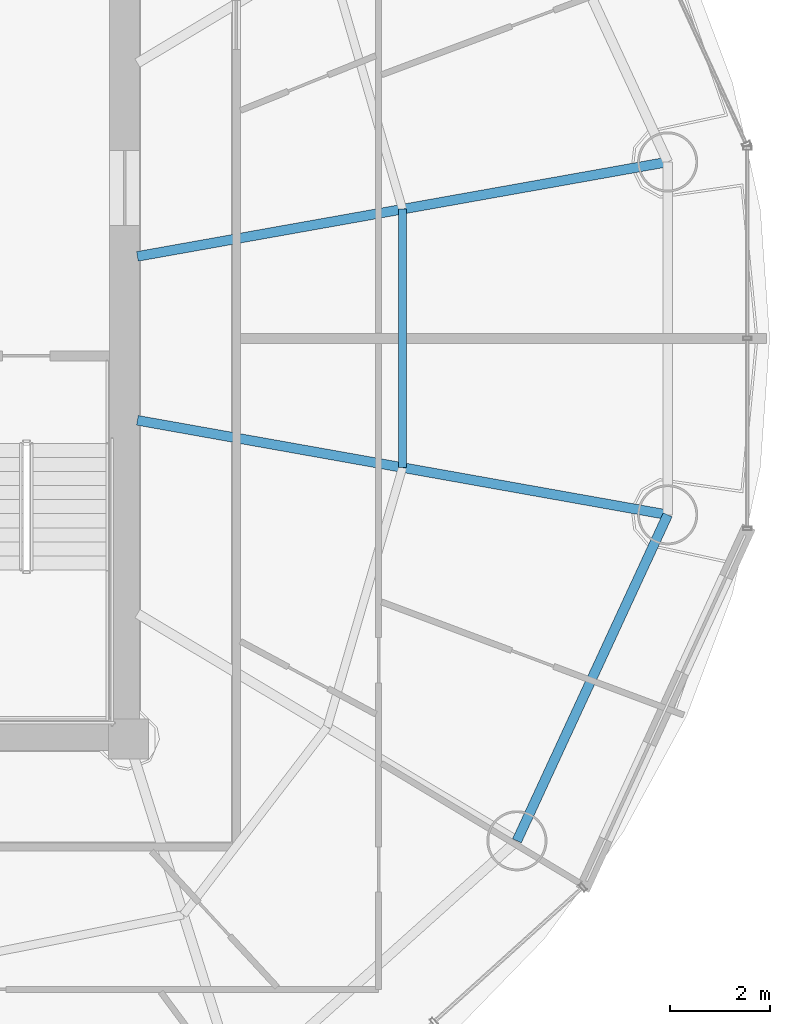
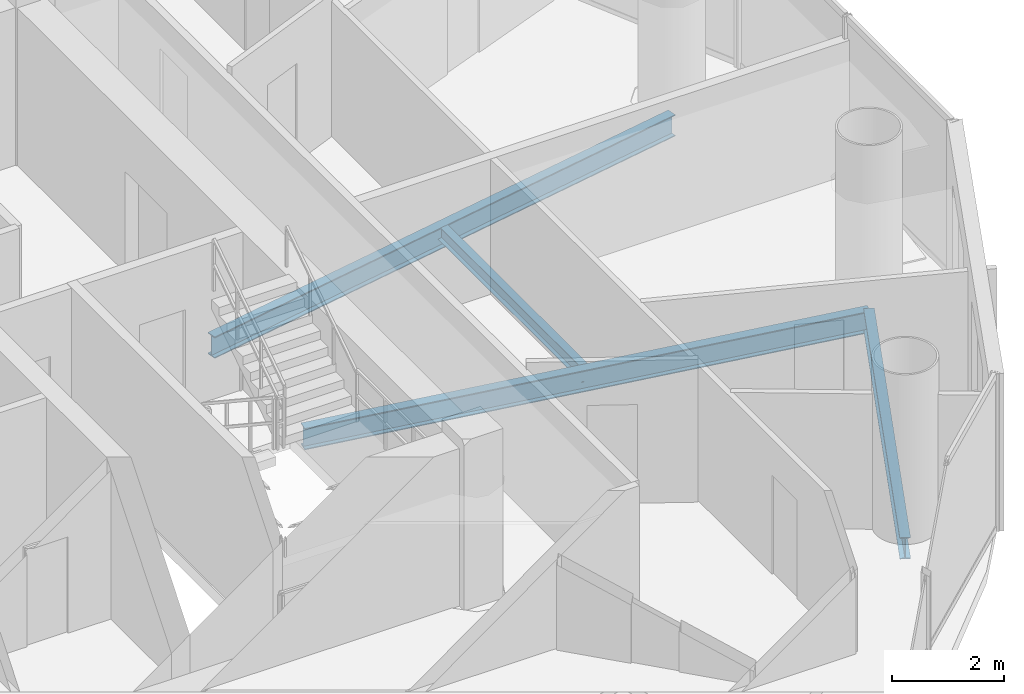
# One storey, part 11 of 26: 4 beams.
"""IFC4 building model written with IfcOpenShell, lengths in metres."""

from ifc_helpers import new_model, si_unit, direction, frame, origin, origin_2d, place, context, subcontext, project, spatial, i_section, extrude, material, material_profile, profile_set, type_object, element, save


model = new_model("IFC4")

# Units and contexts
model_context = context("Model", 3, precision=1e-05, world=origin(), true_north=direction((-0.2419218956, 0.970295726276)))
body_context = subcontext(model_context, "Body", "Model", "MODEL_VIEW")
ifc_project = project(units=[si_unit("LENGTHUNIT", "METRE"), si_unit("AREAUNIT", "SQUARE_METRE"), si_unit("VOLUMEUNIT", "CUBIC_METRE"), si_unit("PLANEANGLEUNIT", "RADIAN"), si_unit("MASSUNIT", "GRAM", prefix="KILO")], contexts=[model_context])

# Site, building, storey
site_placement = place(None, origin())
site = spatial("IfcSite", under=ifc_project, at=site_placement, CompositionType="ELEMENT")
building_placement = place(site_placement, origin())
building = spatial("IfcBuilding", under=site, at=building_placement, Name="Cobrevalo Terracotta Tower", CompositionType="ELEMENT")
storey_placement = place(building_placement, frame((0.0, 0.0, 220.800048828125)))
storey = spatial("IfcBuildingStorey", under=building, at=storey_placement, Name="L58", CompositionType="ELEMENT", Elevation=220.800048828125)

# Beams
ifc_material = material(Name="Steel S355", Category="steel")
ifc_material_profile_1 = material_profile(ifc_material, i_section(OverallWidth=0.194091796875, OverallDepth=0.468994140625, WebThickness=0.011474609375, FlangeThickness=0.0205078125, at=origin_2d()), Name="W 460x106")
ifc_profile_set_1 = profile_set([ifc_material_profile_1], Name="Steel S355")
beam_type_1 = type_object("IfcBeamType", Name="Structural Beam W 460x106 (Steel S355)", PredefinedType="BEAM", material=ifc_profile_set_1)
for number, where, z_axis, x_axis, name in (
    (1, (57.762939453125, 30.3212890625, -0.49951171875), (-0.98449712063, -0.175400739656, 0.0), (0.175400739656, -0.98449712063, 0.0), "L58 radial floor girder 01"),
    (2, (57.762939453125, 23.278564453125, -0.49951171875), (-0.984493198547, 0.175422752274, 0.0), (-0.175422752274, -0.984493198547, 0.0), "L58 radial floor girder 16"),
):
    element("IfcBeam", number, at=place(storey_placement, frame(where, z_axis=z_axis, x_axis=x_axis)), inside=storey, type_object=beam_type_1, Name=name, PredefinedType="BEAM", context=body_context, shape_type="SweptSolid", body=[
        extrude(i_section(OverallWidth=0.194091796875, OverallDepth=0.468994140625, WebThickness=0.011474609375, FlangeThickness=0.0205078125, at=origin_2d()), origin(), (0.0, 0.0, 1.0), 10.749755859375),
    ])
ifc_material_profile_2 = material_profile(ifc_material, i_section(OverallWidth=0.1650390625, OverallDepth=0.31005859375, WebThickness=0.005859375, FlangeThickness=0.009765625, at=origin_2d()), Name="W 310x38.7")
ifc_profile_set_2 = profile_set([ifc_material_profile_2], Name="Steel S355")
beam_type_2 = type_object("IfcBeamType", Name="Structural Joist W 310x38.7 (Steel S355)", PredefinedType="JOIST", material=ifc_profile_set_2)
beam_1_placement = place(storey_placement, frame((52.471435546875, 24.221435546875, -0.420166015625), z_axis=(0.0, 1.0, 0.0), x_axis=(-1.0, 0.0, 0.0)))
element("IfcBeam", 3, at=beam_1_placement, inside=storey, type_object=beam_type_2, Name="L58 circumferential secondary floor joist 16", PredefinedType="JOIST", context=body_context, shape_type="SweptSolid", body=[
    extrude(i_section(OverallWidth=0.1650390625, OverallDepth=0.31005859375, WebThickness=0.005859375, FlangeThickness=0.009765625, at=origin_2d()), origin(), (0.0, 0.0, 1.0), 5.1572265625),
])
ifc_material_profile_3 = material_profile(ifc_material, i_section(OverallWidth=0.194091796875, OverallDepth=0.468994140625, WebThickness=0.011474609375, FlangeThickness=0.0205078125, at=origin_2d()), Name="W 460x106")
ifc_profile_set_3 = profile_set([ifc_material_profile_3], Name="Steel S355")
beam_type_3 = type_object("IfcBeamType", Name="Structural Spandrel W 460x106 (Steel S355)", PredefinedType="SPANDREL", material=ifc_profile_set_3)
beam_2_placement = place(storey_placement, frame((54.754150390625, 16.77197265625, -0.49951171875), z_axis=(0.419718939129, 0.90765412583, 0.0), x_axis=(-0.90765412583, 0.419718939129, 0.0)))
element("IfcBeam", 4, at=beam_2_placement, inside=storey, type_object=beam_type_3, Name="L58 perimeter ring spandrel 15", PredefinedType="SPANDREL", context=body_context, shape_type="SweptSolid", body=[
    extrude(i_section(OverallWidth=0.194091796875, OverallDepth=0.468994140625, WebThickness=0.011474609375, FlangeThickness=0.0205078125, at=origin_2d()), origin(), (0.0, 0.0, 1.0), 7.168701171875),
])

save(model, "model.ifc")
